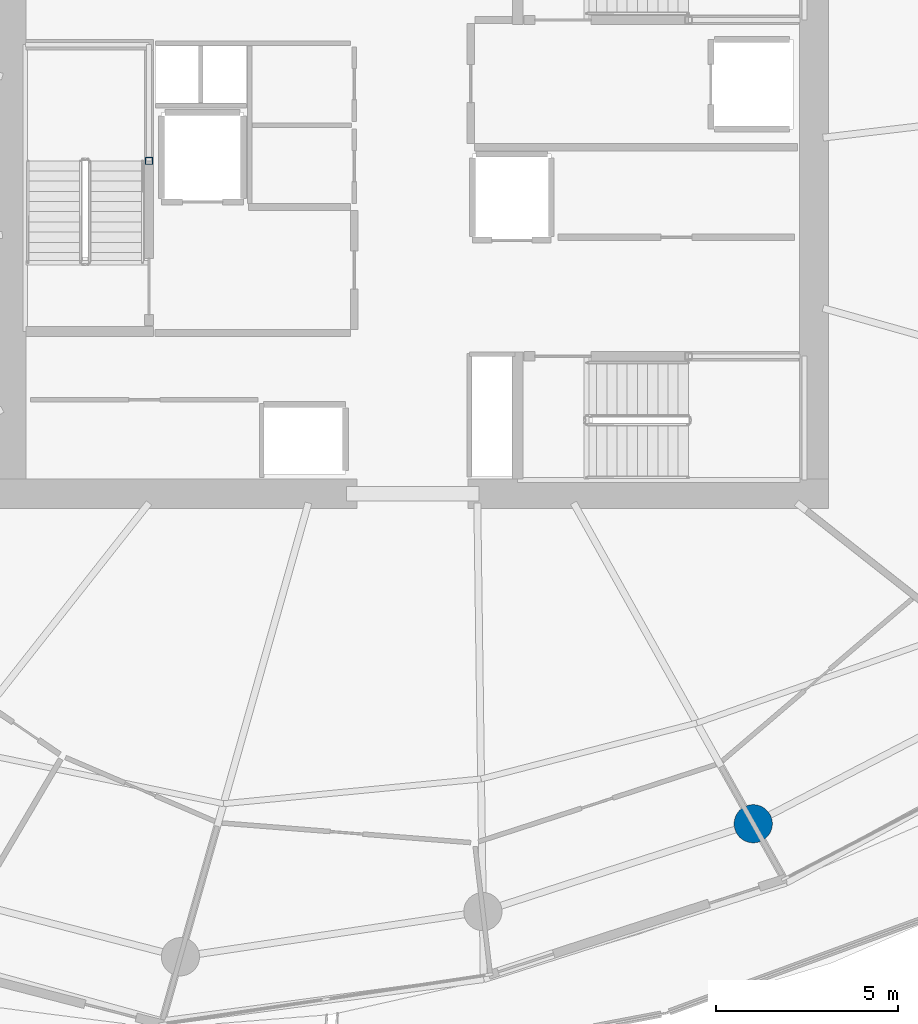
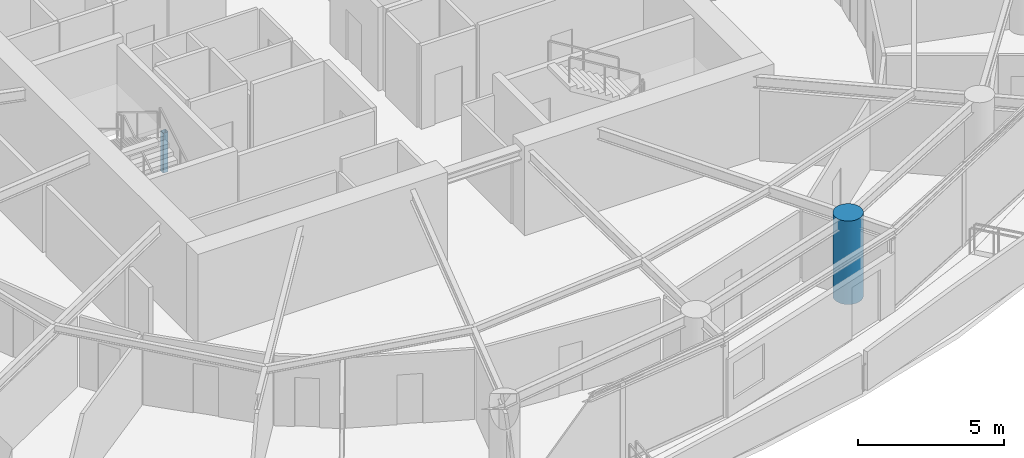
# One storey, part 2 of 20: 2 columns.
"""IFC4 building model written with IfcOpenShell, lengths in metres."""

from ifc_helpers import new_model, si_unit, direction, frame, origin, origin_2d, place, context, subcontext, project, spatial, hollow_rectangle, circle, extrude, material, material_profile, profile_set, type_object, element, save


model = new_model("IFC4")

# Units and contexts
model_context = context("Model", 3, precision=1e-05, world=origin(), true_north=direction((0.0, 1.0)))
body_context = subcontext(model_context, "Body", "Model", "MODEL_VIEW")
ifc_project = project(units=[si_unit("LENGTHUNIT", "METRE"), si_unit("AREAUNIT", "SQUARE_METRE"), si_unit("VOLUMEUNIT", "CUBIC_METRE"), si_unit("PLANEANGLEUNIT", "RADIAN"), si_unit("MASSUNIT", "GRAM", prefix="KILO")], contexts=[model_context])

# Site, building, storey
site_placement = place(None, origin())
site = spatial("IfcSite", under=ifc_project, at=site_placement, CompositionType="ELEMENT")
building_placement = place(site_placement, origin())
building = spatial("IfcBuilding", under=site, at=building_placement, Name="Kazma Halo Residences", CompositionType="ELEMENT")
storey_placement = place(building_placement, frame((0.0, 0.0, 131.550048828125)))
storey = spatial("IfcBuildingStorey", under=building, at=storey_placement, Name="L32", CompositionType="ELEMENT", Elevation=131.550048828125)

# Columns
ifc_material_1 = material(Name="Steel S355", Category="steel")
ifc_material_profile_1 = material_profile(ifc_material_1, hollow_rectangle(XDim=0.199951171875, YDim=0.199951171875, WallThickness=0.010009765625, InnerFilletRadius=0.010009765625, OuterFilletRadius=0.02001953125, at=origin_2d()), Name="SHS200x200x10")
ifc_profile_set_1 = profile_set([ifc_material_profile_1], Name="Steel S355")
column_type_1 = type_object("IfcColumnType", Name="COL-LP-SHS200", PredefinedType="COLUMN", material=ifc_profile_set_1)
column_1_placement = place(storey_placement, frame((41.179931640625, 42.75, 0.0), z_axis=(0.0, 0.0, 1.0), x_axis=(1.0, 0.0, 0.0)))
element("IfcColumn", 1, at=column_1_placement, inside=storey, type_object=column_type_1, Name="L32 ST-01 landing pilaster 1", PredefinedType="COLUMN", context=body_context, shape_type="SweptSolid", body=[
    extrude(hollow_rectangle(XDim=0.199951171875, YDim=0.199951171875, WallThickness=0.010009765625, InnerFilletRadius=0.010009765625, OuterFilletRadius=0.02001953125, at=origin_2d()), origin(), (0.0, 0.0, 1.0), 1.669921875),
])
ifc_material_2 = material(Name="Concrete C80/95", Category="concrete")
ifc_material_profile_2 = material_profile(ifc_material_2, circle(Radius=0.52490234375, at=origin_2d()), Name="CIRC1050")
ifc_profile_set_2 = profile_set([ifc_material_profile_2], Name="Concrete C80/95")
column_type_2 = type_object("IfcColumnType", Name="COL-PERIM-1050", PredefinedType="COLUMN", material=ifc_profile_set_2)
column_2_placement = place(storey_placement, frame((57.781982421875, 24.53271484375, 0.0), z_axis=(0.0, 0.0, 1.0), x_axis=(1.0, 0.0, 0.0)))
element("IfcColumn", 2, at=column_2_placement, inside=storey, type_object=column_type_2, Name="L32 perimeter ring column P13", PredefinedType="COLUMN", context=body_context, shape_type="SweptSolid", body=[
    extrude(circle(Radius=0.52490234375, at=origin_2d()), origin(), (0.0, 0.0, 1.0), 3.5),
])

save(model, "model.ifc")
